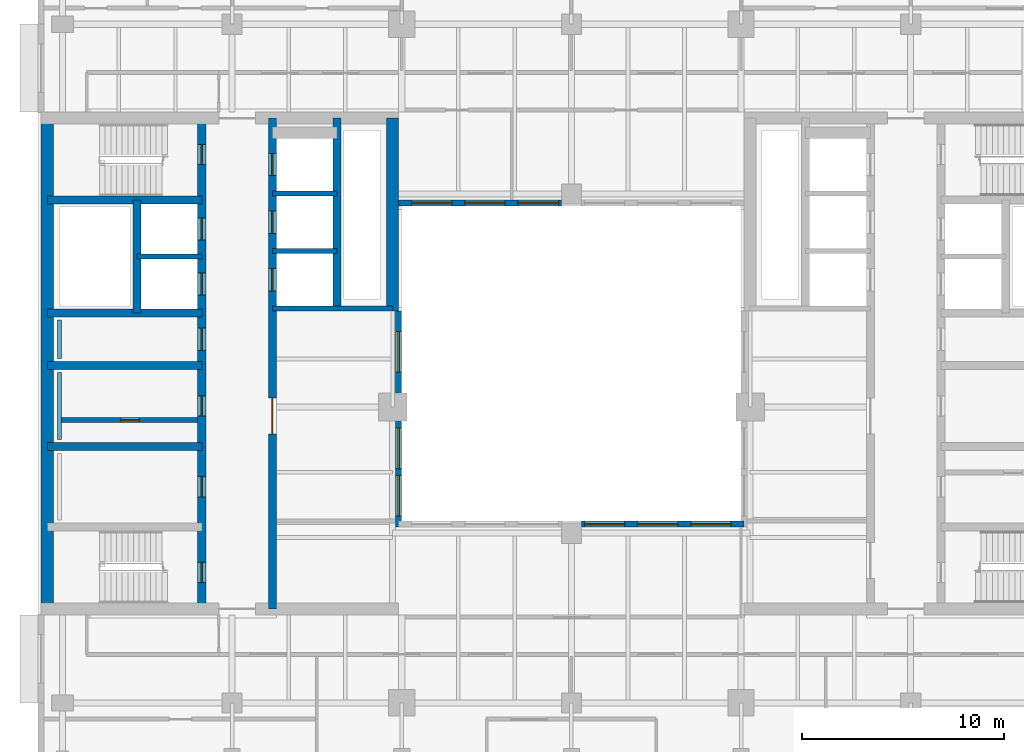
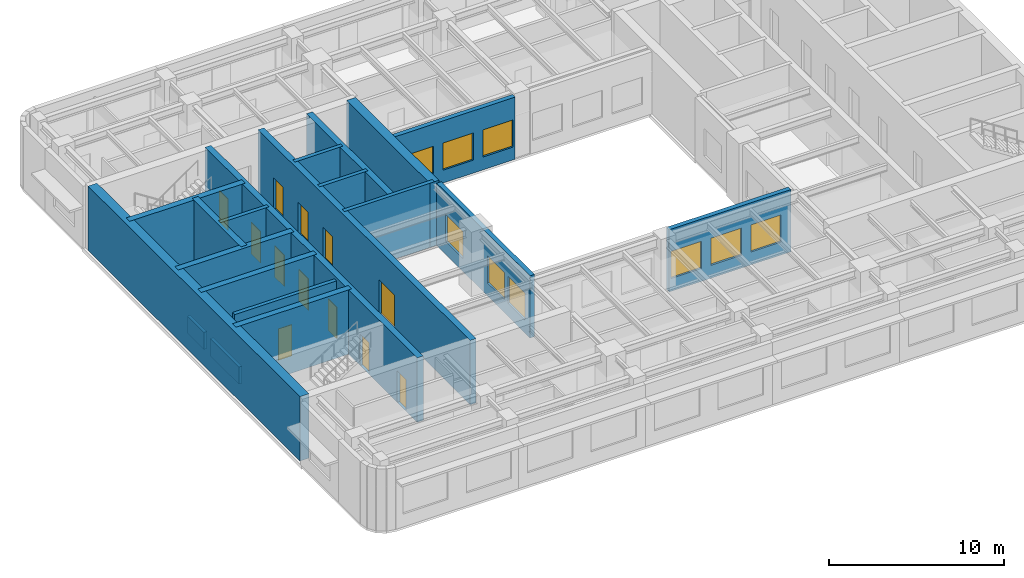
# One storey, part 4 of 11: 20 walls, 12 doors, 9 windows, 21 openings.
"""IFC4 building model written with IfcOpenShell, lengths in metres."""

from ifc_helpers import new_model, si_unit, direction, frame, frame_2d, origin, place, context, subcontext, project, spatial, rectangle, extrude, material, layer, layer_set, type_object, element, fill, save


model = new_model("IFC4")

# Units and contexts
model_context = context("Model", 3, precision=1e-05, world=origin(), true_north=direction((0.0, 1.0)))
body_context = subcontext(model_context, "Body", "Model", "MODEL_VIEW")
ifc_project = project(units=[si_unit("LENGTHUNIT", "METRE"), si_unit("AREAUNIT", "SQUARE_METRE"), si_unit("VOLUMEUNIT", "CUBIC_METRE"), si_unit("PLANEANGLEUNIT", "RADIAN"), si_unit("MASSUNIT", "GRAM", prefix="KILO")], contexts=[model_context])

# Site, building, storey
site_placement = place(None, origin())
site = spatial("IfcSite", under=ifc_project, at=site_placement, CompositionType="ELEMENT")
building_placement = place(site_placement, origin())
building = spatial("IfcBuilding", under=site, at=building_placement, Name="Claustro Exchange Tower", CompositionType="ELEMENT")
storey_placement = place(building_placement, frame((0.0, 0.0, 268.199951171875)))
storey = spatial("IfcBuildingStorey", under=building, at=storey_placement, Name="L61", CompositionType="ELEMENT", Elevation=268.199951171875)

# Wall, opening, door
ifc_material_1 = material(Name="Concrete blockwork, rendered", Category="masonry")
ifc_layer_1 = layer(ifc_material_1, 0.25)
ifc_layer_set_1 = layer_set([ifc_layer_1], Name="Concrete blockwork, rendered")
wall_type_1 = type_object("IfcWallType", Name="P4 250 blockwork wall", PredefinedType="PARTITIONING", material=ifc_layer_set_1)
wall_1_placement = place(storey_placement, frame((-0.050048828125, 22.39990234375, 0.0), z_axis=(0.0, 0.0, 1.0), x_axis=(1.0, 0.0, 0.0)))
wall_1 = element("IfcWall", 1, at=wall_1_placement, inside=storey, type_object=wall_type_1, Name="Partition P4 L61", PredefinedType="PARTITIONING", context=body_context, shape_type="SweptSolid", body=[
    extrude(rectangle(XDim=6.75, YDim=0.25, at=frame_2d((3.375, 0.0))), origin(), (0.0, 0.0, 1.0), 4.300048828125),
])
opening_1_placement = place(wall_1_placement, frame((2.949951171875, 0.0, 0.0)))
opening_1 = element("IfcOpeningElement", 2, at=opening_1_placement, cuts=wall_1, Name="Opening D5", PredefinedType="OPENING", context=body_context, shape_type="SweptSolid", body=[
    extrude(rectangle(XDim=0.89990234375, YDim=2.199951171875, at=frame_2d((0.449951171875, 1.10009765625))), frame((0.0, 0.135009765625, 0.0), z_axis=(0.0, -1.0, 0.0), x_axis=(1.0, 0.0, 0.0)), (0.0, 0.0, 1.0), 0.27001953125),
])
ifc_material_2 = material(Name="Steel door, painted", Category="steel")
door_type_1 = type_object("IfcDoorType", Name="D5 900 x 2200 store door", OperationType="SINGLE_SWING_LEFT", PredefinedType="DOOR", material=ifc_material_2)
door_1_placement = place(opening_1_placement, frame((0.89990234375, 0.0, 0.0), z_axis=(0.0, 0.0, 1.0), x_axis=(-1.0, 0.0, 0.0)))
door_1 = element("IfcDoor", 3, at=door_1_placement, inside=storey, type_object=door_type_1, Name="Store door D5 L61", OperationType="SINGLE_SWING_LEFT", OverallHeight=2.199951171875, OverallWidth=0.89990234375, PredefinedType="DOOR", context=body_context, shape_type="SweptSolid", body=[
    extrude(rectangle(XDim=0.89990234375, YDim=2.199951171875, at=frame_2d((0.449951171875, 1.10009765625))), frame((0.0, 0.02490234375, 0.0), z_axis=(0.0, -1.0, 0.0), x_axis=(1.0, 0.0, 0.0)), (0.0, 0.0, 1.0), 0.050048828125),
])
fill(opening_1, door_1)

# Wall, openings, windows
ifc_material_3 = material(Name="Concrete HA-40 (C40/50), precast, white cement, acid-etched", Category="concrete")
ifc_layer_2 = layer(ifc_material_3, 0.300048828125)
ifc_layer_set_2 = layer_set([ifc_layer_2], Name="Concrete HA-40 (C40/50), precast, white cement, acid-etched")
wall_type_2 = type_object("IfcWallType", Name="PC1 300 precast concrete pier panel", PredefinedType="SOLIDWALL", material=ifc_layer_set_2)
wall_2_placement = place(storey_placement, frame((16.64990234375, 17.10009765625, 0.0), z_axis=(0.0, 0.0, 1.0), x_axis=(0.0, 1.0, 0.0)))
wall_2 = element("IfcWall", 4, at=wall_2_placement, inside=storey, type_object=wall_type_2, Name="Precast pier panel PC1 L61", PredefinedType="SOLIDWALL", context=body_context, shape_type="SweptSolid", body=[
    extrude(rectangle(XDim=10.699951171875, YDim=0.300048828125, at=frame_2d((5.35009765625, 0.0))), origin(), (0.0, 0.0, 1.0), 4.35009765625),
])
opening_2_placement = place(wall_2_placement, frame((0.550048828125, 0.0, 0.89990234375)))
opening_2 = element("IfcOpeningElement", 5, at=opening_2_placement, cuts=wall_2, Name="Opening W4", PredefinedType="OPENING", context=body_context, shape_type="SweptSolid", body=[
    extrude(rectangle(XDim=2.0, YDim=1.89990234375, at=frame_2d((1.0, 0.949951171875))), frame((0.0, 0.159912109375, 0.0), z_axis=(0.0, -1.0, 0.0), x_axis=(1.0, 0.0, 0.0)), (0.0, 0.0, 1.0), 0.320068359375),
])
opening_3_placement = place(wall_2_placement, frame((2.89990234375, 0.0, 0.89990234375)))
opening_3 = element("IfcOpeningElement", 6, at=opening_3_placement, cuts=wall_2, Name="Opening W4", PredefinedType="OPENING", context=body_context, shape_type="SweptSolid", body=[
    extrude(rectangle(XDim=2.0, YDim=1.89990234375, at=frame_2d((1.0, 0.949951171875))), frame((0.0, 0.159912109375, 0.0), z_axis=(0.0, -1.0, 0.0), x_axis=(1.0, 0.0, 0.0)), (0.0, 0.0, 1.0), 0.320068359375),
])
opening_4_placement = place(wall_2_placement, frame((7.675048828125, 0.0, 0.89990234375)))
opening_4 = element("IfcOpeningElement", 7, at=opening_4_placement, cuts=wall_2, Name="Opening W4", PredefinedType="OPENING", context=body_context, shape_type="SweptSolid", body=[
    extrude(rectangle(XDim=2.0, YDim=1.89990234375, at=frame_2d((1.0, 0.949951171875))), frame((0.0, 0.159912109375, 0.0), z_axis=(0.0, -1.0, 0.0), x_axis=(1.0, 0.0, 0.0)), (0.0, 0.0, 1.0), 0.320068359375),
])
ifc_material_4 = material(Name="Aluminium frame, clear double glazing", Category="aluminium")
window_type = type_object("IfcWindowType", Name="W4 2000 x 1900 light well window", PartitioningType="SINGLE_PANEL", PredefinedType="WINDOW", material=ifc_material_4)
window_1_placement = place(opening_2_placement, origin())
window_1 = element("IfcWindow", 8, at=window_1_placement, inside=storey, type_object=window_type, Name="Window W4 L61", OverallHeight=1.89990234375, OverallWidth=2.0, PartitioningType="SINGLE_PANEL", PredefinedType="WINDOW", context=body_context, shape_type="SweptSolid", body=[
    extrude(rectangle(XDim=2.0, YDim=1.89990234375, at=frame_2d((1.0, 0.949951171875))), frame((0.0, 0.030029296875, 0.0), z_axis=(0.0, -1.0, 0.0), x_axis=(1.0, 0.0, 0.0)), (0.0, 0.0, 1.0), 0.06005859375),
])
fill(opening_2, window_1)
window_2_placement = place(opening_3_placement, origin())
window_2 = element("IfcWindow", 9, at=window_2_placement, inside=storey, type_object=window_type, Name="Window W4 L61", OverallHeight=1.89990234375, OverallWidth=2.0, PartitioningType="SINGLE_PANEL", PredefinedType="WINDOW", context=body_context, shape_type="SweptSolid", body=[
    extrude(rectangle(XDim=2.0, YDim=1.89990234375, at=frame_2d((1.0, 0.949951171875))), frame((0.0, 0.030029296875, 0.0), z_axis=(0.0, -1.0, 0.0), x_axis=(1.0, 0.0, 0.0)), (0.0, 0.0, 1.0), 0.06005859375),
])
fill(opening_3, window_2)
window_3_placement = place(opening_4_placement, origin())
window_3 = element("IfcWindow", 10, at=window_3_placement, inside=storey, type_object=window_type, Name="Window W4 L61", OverallHeight=1.89990234375, OverallWidth=2.0, PartitioningType="SINGLE_PANEL", PredefinedType="WINDOW", context=body_context, shape_type="SweptSolid", body=[
    extrude(rectangle(XDim=2.0, YDim=1.89990234375, at=frame_2d((1.0, 0.949951171875))), frame((0.0, 0.030029296875, 0.0), z_axis=(0.0, -1.0, 0.0), x_axis=(1.0, 0.0, 0.0)), (0.0, 0.0, 1.0), 0.06005859375),
])
fill(opening_4, window_3)

wall_3_placement = place(storey_placement, frame((25.699951171875, 17.25, 0.0), z_axis=(0.0, 0.0, 1.0), x_axis=(1.0, 0.0, 0.0)))
wall_3 = element("IfcWall", 11, at=wall_3_placement, inside=storey, type_object=wall_type_2, Name="Precast pier panel PC1 L61", PredefinedType="SOLIDWALL", context=body_context, shape_type="SweptSolid", body=[
    extrude(rectangle(XDim=8.050048828125, YDim=0.300048828125, at=frame_2d((4.02490234375, 0.0))), origin(), (0.0, 0.0, 1.0), 4.35009765625),
])
opening_5_placement = place(wall_3_placement, frame((0.137451171875, 0.0, 0.89990234375)))
opening_5 = element("IfcOpeningElement", 12, at=opening_5_placement, cuts=wall_3, Name="Opening W4", PredefinedType="OPENING", context=body_context, shape_type="SweptSolid", body=[
    extrude(rectangle(XDim=2.0, YDim=1.89990234375, at=frame_2d((1.0, 0.949951171875))), frame((0.0, 0.159912109375, 0.0), z_axis=(0.0, -1.0, 0.0), x_axis=(1.0, 0.0, 0.0)), (0.0, 0.0, 1.0), 0.320068359375),
])
opening_6_placement = place(wall_3_placement, frame((2.77490234375, 0.0, 0.89990234375)))
opening_6 = element("IfcOpeningElement", 13, at=opening_6_placement, cuts=wall_3, Name="Opening W4", PredefinedType="OPENING", context=body_context, shape_type="SweptSolid", body=[
    extrude(rectangle(XDim=2.0, YDim=1.89990234375, at=frame_2d((1.0, 0.949951171875))), frame((0.0, 0.159912109375, 0.0), z_axis=(0.0, -1.0, 0.0), x_axis=(1.0, 0.0, 0.0)), (0.0, 0.0, 1.0), 0.320068359375),
])
opening_7_placement = place(wall_3_placement, frame((5.41259765625, 0.0, 0.89990234375)))
opening_7 = element("IfcOpeningElement", 14, at=opening_7_placement, cuts=wall_3, Name="Opening W4", PredefinedType="OPENING", context=body_context, shape_type="SweptSolid", body=[
    extrude(rectangle(XDim=2.0, YDim=1.89990234375, at=frame_2d((1.0, 0.949951171875))), frame((0.0, 0.159912109375, 0.0), z_axis=(0.0, -1.0, 0.0), x_axis=(1.0, 0.0, 0.0)), (0.0, 0.0, 1.0), 0.320068359375),
])
window_4_placement = place(opening_5_placement, origin())
window_4 = element("IfcWindow", 15, at=window_4_placement, inside=storey, type_object=window_type, Name="Window W4 L61", OverallHeight=1.89990234375, OverallWidth=2.0, PartitioningType="SINGLE_PANEL", PredefinedType="WINDOW", context=body_context, shape_type="SweptSolid", body=[
    extrude(rectangle(XDim=2.0, YDim=1.89990234375, at=frame_2d((1.0, 0.949951171875))), frame((0.0, 0.030029296875, 0.0), z_axis=(0.0, -1.0, 0.0), x_axis=(1.0, 0.0, 0.0)), (0.0, 0.0, 1.0), 0.06005859375),
])
fill(opening_5, window_4)
window_5_placement = place(opening_6_placement, origin())
window_5 = element("IfcWindow", 16, at=window_5_placement, inside=storey, type_object=window_type, Name="Window W4 L61", OverallHeight=1.89990234375, OverallWidth=2.0, PartitioningType="SINGLE_PANEL", PredefinedType="WINDOW", context=body_context, shape_type="SweptSolid", body=[
    extrude(rectangle(XDim=2.0, YDim=1.89990234375, at=frame_2d((1.0, 0.949951171875))), frame((0.0, 0.030029296875, 0.0), z_axis=(0.0, -1.0, 0.0), x_axis=(1.0, 0.0, 0.0)), (0.0, 0.0, 1.0), 0.06005859375),
])
fill(opening_6, window_5)
window_6_placement = place(opening_7_placement, origin())
window_6 = element("IfcWindow", 17, at=window_6_placement, inside=storey, type_object=window_type, Name="Window W4 L61", OverallHeight=1.89990234375, OverallWidth=2.0, PartitioningType="SINGLE_PANEL", PredefinedType="WINDOW", context=body_context, shape_type="SweptSolid", body=[
    extrude(rectangle(XDim=2.0, YDim=1.89990234375, at=frame_2d((1.0, 0.949951171875))), frame((0.0, 0.030029296875, 0.0), z_axis=(0.0, -1.0, 0.0), x_axis=(1.0, 0.0, 0.0)), (0.0, 0.0, 1.0), 0.06005859375),
])
fill(opening_7, window_6)

wall_4_placement = place(storey_placement, frame((16.64990234375, 33.14990234375, 0.0), z_axis=(0.0, 0.0, 1.0), x_axis=(1.0, 0.0, 0.0)))
wall_4 = element("IfcWall", 18, at=wall_4_placement, inside=storey, type_object=wall_type_2, Name="Precast pier panel PC1 L61", PredefinedType="SOLIDWALL", context=body_context, shape_type="SweptSolid", body=[
    extrude(rectangle(XDim=8.050048828125, YDim=0.300048828125, at=frame_2d((4.02490234375, 0.0))), origin(), (0.0, 0.0, 1.0), 4.35009765625),
])
opening_8_placement = place(wall_4_placement, frame((0.637451171875, 0.0, 0.89990234375)))
opening_8 = element("IfcOpeningElement", 19, at=opening_8_placement, cuts=wall_4, Name="Opening W4", PredefinedType="OPENING", context=body_context, shape_type="SweptSolid", body=[
    extrude(rectangle(XDim=2.0, YDim=1.89990234375, at=frame_2d((1.0, 0.949951171875))), frame((0.0, 0.159912109375, 0.0), z_axis=(0.0, -1.0, 0.0), x_axis=(1.0, 0.0, 0.0)), (0.0, 0.0, 1.0), 0.320068359375),
])
opening_9_placement = place(wall_4_placement, frame((3.27490234375, 0.0, 0.89990234375)))
opening_9 = element("IfcOpeningElement", 20, at=opening_9_placement, cuts=wall_4, Name="Opening W4", PredefinedType="OPENING", context=body_context, shape_type="SweptSolid", body=[
    extrude(rectangle(XDim=2.0, YDim=1.89990234375, at=frame_2d((1.0, 0.949951171875))), frame((0.0, 0.159912109375, 0.0), z_axis=(0.0, -1.0, 0.0), x_axis=(1.0, 0.0, 0.0)), (0.0, 0.0, 1.0), 0.320068359375),
])
opening_10_placement = place(wall_4_placement, frame((5.91259765625, 0.0, 0.89990234375)))
opening_10 = element("IfcOpeningElement", 21, at=opening_10_placement, cuts=wall_4, Name="Opening W4", PredefinedType="OPENING", context=body_context, shape_type="SweptSolid", body=[
    extrude(rectangle(XDim=2.0, YDim=1.89990234375, at=frame_2d((1.0, 0.949951171875))), frame((0.0, 0.159912109375, 0.0), z_axis=(0.0, -1.0, 0.0), x_axis=(1.0, 0.0, 0.0)), (0.0, 0.0, 1.0), 0.320068359375),
])
window_7_placement = place(opening_8_placement, origin())
window_7 = element("IfcWindow", 22, at=window_7_placement, inside=storey, type_object=window_type, Name="Window W4 L61", OverallHeight=1.89990234375, OverallWidth=2.0, PartitioningType="SINGLE_PANEL", PredefinedType="WINDOW", context=body_context, shape_type="SweptSolid", body=[
    extrude(rectangle(XDim=2.0, YDim=1.89990234375, at=frame_2d((1.0, 0.949951171875))), frame((0.0, 0.030029296875, 0.0), z_axis=(0.0, -1.0, 0.0), x_axis=(1.0, 0.0, 0.0)), (0.0, 0.0, 1.0), 0.06005859375),
])
fill(opening_8, window_7)
window_8_placement = place(opening_9_placement, origin())
window_8 = element("IfcWindow", 23, at=window_8_placement, inside=storey, type_object=window_type, Name="Window W4 L61", OverallHeight=1.89990234375, OverallWidth=2.0, PartitioningType="SINGLE_PANEL", PredefinedType="WINDOW", context=body_context, shape_type="SweptSolid", body=[
    extrude(rectangle(XDim=2.0, YDim=1.89990234375, at=frame_2d((1.0, 0.949951171875))), frame((0.0, 0.030029296875, 0.0), z_axis=(0.0, -1.0, 0.0), x_axis=(1.0, 0.0, 0.0)), (0.0, 0.0, 1.0), 0.06005859375),
])
fill(opening_9, window_8)
window_9_placement = place(opening_10_placement, origin())
window_9 = element("IfcWindow", 24, at=window_9_placement, inside=storey, type_object=window_type, Name="Window W4 L61", OverallHeight=1.89990234375, OverallWidth=2.0, PartitioningType="SINGLE_PANEL", PredefinedType="WINDOW", context=body_context, shape_type="SweptSolid", body=[
    extrude(rectangle(XDim=2.0, YDim=1.89990234375, at=frame_2d((1.0, 0.949951171875))), frame((0.0, 0.030029296875, 0.0), z_axis=(0.0, -1.0, 0.0), x_axis=(1.0, 0.0, 0.0)), (0.0, 0.0, 1.0), 0.06005859375),
])
fill(opening_10, window_9)

# Walls
ifc_material_5 = material(Name="Gypsum board on steel studs, tiled", Category="steel")
ifc_layer_3 = layer(ifc_material_5, 0.199951171875)
ifc_layer_set_3 = layer_set([ifc_layer_3], Name="Gypsum board on steel studs, tiled")
wall_type_3 = type_object("IfcWallType", Name="PW1 200 WC duct wall", PredefinedType="PLUMBINGWALL", material=ifc_layer_set_3)
wall_5_placement = place(storey_placement, frame((-0.14990234375, 21.449951171875, 0.0), z_axis=(0.0, 0.0, 1.0), x_axis=(0.0, 1.0, 0.0)))
element("IfcWall", 25, at=wall_5_placement, inside=storey, type_object=wall_type_3, Name="WC duct wall PW1 L61", PredefinedType="PLUMBINGWALL", context=body_context, shape_type="SweptSolid", body=[
    extrude(rectangle(XDim=3.300048828125, YDim=0.199951171875, at=frame_2d((1.64990234375, 0.0))), origin(), (0.0, 0.0, 1.0), 1.199951171875),
])
wall_6_placement = place(storey_placement, frame((-0.14990234375, 25.449951171875, 0.0), z_axis=(0.0, 0.0, 1.0), x_axis=(0.0, 1.0, 0.0)))
element("IfcWall", 26, at=wall_6_placement, inside=storey, type_object=wall_type_3, Name="WC duct wall PW1 L61", PredefinedType="PLUMBINGWALL", context=body_context, shape_type="SweptSolid", body=[
    extrude(rectangle(XDim=1.900146484375, YDim=0.199951171875, at=frame_2d((0.9501953125, 0.0))), origin(), (0.0, 0.0, 1.0), 1.199951171875),
])
ifc_material_6 = material(Name="Concrete HA-50 (C50/60)", Category="concrete")
ifc_layer_4 = layer(ifc_material_6, 0.60009765625)
ifc_layer_set_4 = layer_set([ifc_layer_4], Name="Concrete HA-50 (C50/60)")
wall_type_4 = type_object("IfcWallType", Name="SW3X 600 exposed core shear wall, board-marked face", PredefinedType="SHEAR", material=ifc_layer_set_4)
wall_7_placement = place(storey_placement, frame((-0.75, 13.050048828125, 0.0), z_axis=(0.0, 0.0, 1.0), x_axis=(0.0, 1.0, 0.0)))
element("IfcWall", 27, at=wall_7_placement, inside=storey, type_object=wall_type_4, Name="Core wall SW3X W core W face L61", PredefinedType="SHEAR", context=body_context, shape_type="SweptSolid", body=[
    extrude(rectangle(XDim=24.300048828125, YDim=0.60009765625, at=frame_2d((12.14990234375, 0.0))), origin(), (0.0, 0.0, 1.0), 4.5),
])
wall_8_placement = place(storey_placement, frame((16.35009765625, 27.800048828125, 0.0), z_axis=(0.0, 0.0, 1.0), x_axis=(0.0, 1.0, 0.0)))
element("IfcWall", 28, at=wall_8_placement, inside=storey, type_object=wall_type_4, Name="Core wall SW3X W core E face L61", PredefinedType="SHEAR", context=body_context, shape_type="SweptSolid", body=[
    extrude(rectangle(XDim=9.550048828125, YDim=0.60009765625, at=frame_2d((4.77490234375, 0.0))), origin(), (0.0, 0.0, 1.0), 4.5),
])

# Wall, openings, doors
ifc_material_7 = material(Name="Concrete HA-50 (C50/60)", Category="concrete")
ifc_layer_5 = layer(ifc_material_7, 0.39990234375)
ifc_layer_set_5 = layer_set([ifc_layer_5], Name="Concrete HA-50 (C50/60)")
wall_type_5 = type_object("IfcWallType", Name="SW4 400 internal core wall", PredefinedType="SHEAR", material=ifc_layer_set_5)
wall_9_placement = place(storey_placement, frame((6.89990234375, 13.050048828125, 0.0), z_axis=(0.0, 0.0, 1.0), x_axis=(0.0, 1.0, 0.0)))
wall_9 = element("IfcWall", 29, at=wall_9_placement, inside=storey, type_object=wall_type_5, Name="Internal core wall SW4 W core L61", PredefinedType="SHEAR", context=body_context, shape_type="SweptSolid", body=[
    extrude(rectangle(XDim=24.300048828125, YDim=0.39990234375, at=frame_2d((12.14990234375, 0.0))), origin(), (0.0, 0.0, 1.0), 4.5),
])
opening_11_placement = place(wall_9_placement, frame((1.300048828125, 0.0, 0.0)))
opening_11 = element("IfcOpeningElement", 30, at=opening_11_placement, cuts=wall_9, Name="Opening D4", PredefinedType="OPENING", context=body_context, shape_type="SweptSolid", body=[
    extrude(rectangle(XDim=1.0, YDim=2.199951171875, at=frame_2d((0.5, 1.10009765625))), frame((0.0, 0.2099609375, 0.0), z_axis=(0.0, -1.0, 0.0), x_axis=(1.0, 0.0, 0.0)), (0.0, 0.0, 1.0), 0.419921875),
])
opening_12_placement = place(wall_9_placement, frame((22.0, 0.0, 0.0)))
opening_12 = element("IfcOpeningElement", 31, at=opening_12_placement, cuts=wall_9, Name="Opening D4", PredefinedType="OPENING", context=body_context, shape_type="SweptSolid", body=[
    extrude(rectangle(XDim=1.0, YDim=2.199951171875, at=frame_2d((0.5, 1.10009765625))), frame((0.0, 0.2099609375, 0.0), z_axis=(0.0, -1.0, 0.0), x_axis=(1.0, 0.0, 0.0)), (0.0, 0.0, 1.0), 0.419921875),
])
opening_13_placement = place(wall_9_placement, frame((5.550048828125, 0.0, 0.0)))
opening_13 = element("IfcOpeningElement", 32, at=opening_13_placement, cuts=wall_9, Name="Opening D1", PredefinedType="OPENING", context=body_context, shape_type="SweptSolid", body=[
    extrude(rectangle(XDim=1.0, YDim=2.199951171875, at=frame_2d((0.5, 1.10009765625))), frame((0.0, 0.2099609375, 0.0), z_axis=(0.0, -1.0, 0.0), x_axis=(1.0, 0.0, 0.0)), (0.0, 0.0, 1.0), 0.419921875),
])
opening_14_placement = place(wall_9_placement, frame((9.550048828125, 0.0, 0.0)))
opening_14 = element("IfcOpeningElement", 33, at=opening_14_placement, cuts=wall_9, Name="Opening D1", PredefinedType="OPENING", context=body_context, shape_type="SweptSolid", body=[
    extrude(rectangle(XDim=1.0, YDim=2.199951171875, at=frame_2d((0.5, 1.10009765625))), frame((0.0, 0.2099609375, 0.0), z_axis=(0.0, -1.0, 0.0), x_axis=(1.0, 0.0, 0.0)), (0.0, 0.0, 1.0), 0.419921875),
])
opening_15_placement = place(wall_9_placement, frame((12.800048828125, 0.0, 0.0)))
opening_15 = element("IfcOpeningElement", 34, at=opening_15_placement, cuts=wall_9, Name="Opening D10", PredefinedType="OPENING", context=body_context, shape_type="SweptSolid", body=[
    extrude(rectangle(XDim=1.10009765625, YDim=2.199951171875, at=frame_2d((0.550048828125, 1.10009765625))), frame((0.0, 0.2099609375, 0.0), z_axis=(0.0, -1.0, 0.0), x_axis=(1.0, 0.0, 0.0)), (0.0, 0.0, 1.0), 0.419921875),
])
opening_16_placement = place(wall_9_placement, frame((15.53759765625, 0.0, 0.0)))
opening_16 = element("IfcOpeningElement", 35, at=opening_16_placement, cuts=wall_9, Name="Opening LD", PredefinedType="OPENING", context=body_context, shape_type="SweptSolid", body=[
    extrude(rectangle(XDim=1.10009765625, YDim=2.199951171875, at=frame_2d((0.550048828125, 1.10009765625))), frame((0.0, 0.2099609375, 0.0), z_axis=(0.0, -1.0, 0.0), x_axis=(1.0, 0.0, 0.0)), (0.0, 0.0, 1.0), 0.419921875),
])
opening_17_placement = place(wall_9_placement, frame((18.262451171875, 0.0, 0.0)))
opening_17 = element("IfcOpeningElement", 36, at=opening_17_placement, cuts=wall_9, Name="Opening LD", PredefinedType="OPENING", context=body_context, shape_type="SweptSolid", body=[
    extrude(rectangle(XDim=1.10009765625, YDim=2.199951171875, at=frame_2d((0.550048828125, 1.10009765625))), frame((0.0, 0.2099609375, 0.0), z_axis=(0.0, -1.0, 0.0), x_axis=(1.0, 0.0, 0.0)), (0.0, 0.0, 1.0), 0.419921875),
])
ifc_material_8 = material(Name="Timber door, oak veneer", Category="wood")
door_type_2 = type_object("IfcDoorType", Name="D1 1000 x 2200 single door", OperationType="SINGLE_SWING_LEFT", PredefinedType="DOOR", material=ifc_material_8)
door_2_placement = place(opening_13_placement, origin())
door_2 = element("IfcDoor", 37, at=door_2_placement, inside=storey, type_object=door_type_2, Name="Door D1 L61", OperationType="SINGLE_SWING_RIGHT", OverallHeight=2.199951171875, OverallWidth=1.0, PredefinedType="DOOR", context=body_context, shape_type="SweptSolid", body=[
    extrude(rectangle(XDim=1.0, YDim=2.199951171875, at=frame_2d((0.5, 1.10009765625))), frame((0.0, 0.02490234375, 0.0), z_axis=(0.0, -1.0, 0.0), x_axis=(1.0, 0.0, 0.0)), (0.0, 0.0, 1.0), 0.050048828125),
])
fill(opening_13, door_2)
door_3_placement = place(opening_14_placement, origin())
door_3 = element("IfcDoor", 38, at=door_3_placement, inside=storey, type_object=door_type_2, Name="Door D1 L61", OperationType="SINGLE_SWING_LEFT", OverallHeight=2.199951171875, OverallWidth=1.0, PredefinedType="DOOR", context=body_context, shape_type="SweptSolid", body=[
    extrude(rectangle(XDim=1.0, YDim=2.199951171875, at=frame_2d((0.5, 1.10009765625))), frame((0.0, 0.02490234375, 0.0), z_axis=(0.0, -1.0, 0.0), x_axis=(1.0, 0.0, 0.0)), (0.0, 0.0, 1.0), 0.050048828125),
])
fill(opening_14, door_3)
ifc_material_9 = material(Name="Timber door, oak veneer", Category="wood")
door_type_3 = type_object("IfcDoorType", Name="D10 1100 x 2200 accessible WC door", OperationType="SINGLE_SWING_LEFT", PredefinedType="DOOR", material=ifc_material_9)
door_4_placement = place(opening_15_placement, frame((1.10009765625, 0.0, 0.0), z_axis=(0.0, 0.0, 1.0), x_axis=(-1.0, 0.0, 0.0)))
door_4 = element("IfcDoor", 39, at=door_4_placement, inside=storey, type_object=door_type_3, Name="Accessible WC door D10 L61", OperationType="SINGLE_SWING_LEFT", OverallHeight=2.199951171875, OverallWidth=1.10009765625, PredefinedType="DOOR", context=body_context, shape_type="SweptSolid", body=[
    extrude(rectangle(XDim=1.10009765625, YDim=2.199951171875, at=frame_2d((0.550048828125, 1.10009765625))), frame((0.0, 0.02490234375, 0.0), z_axis=(0.0, -1.0, 0.0), x_axis=(1.0, 0.0, 0.0)), (0.0, 0.0, 1.0), 0.050048828125),
])
fill(opening_15, door_4)
ifc_material_10 = material(Name="Steel fire door, painted", Category="steel")
door_type_4 = type_object("IfcDoorType", Name="D4 1000 x 2200 fire-rated stair door", OperationType="SINGLE_SWING_LEFT", PredefinedType="DOOR", material=ifc_material_10)
door_5_placement = place(opening_11_placement, origin())
door_5 = element("IfcDoor", 40, at=door_5_placement, inside=storey, type_object=door_type_4, Name="Stair door D4 L61", OperationType="SINGLE_SWING_LEFT", OverallHeight=2.199951171875, OverallWidth=1.0, PredefinedType="DOOR", context=body_context, shape_type="SweptSolid", body=[
    extrude(rectangle(XDim=1.0, YDim=2.199951171875, at=frame_2d((0.5, 1.10009765625))), frame((0.0, 0.02490234375, 0.0), z_axis=(0.0, -1.0, 0.0), x_axis=(1.0, 0.0, 0.0)), (0.0, 0.0, 1.0), 0.050048828125),
])
fill(opening_11, door_5)
door_6_placement = place(opening_12_placement, origin())
door_6 = element("IfcDoor", 41, at=door_6_placement, inside=storey, type_object=door_type_4, Name="Stair door D4 L61", OperationType="SINGLE_SWING_RIGHT", OverallHeight=2.199951171875, OverallWidth=1.0, PredefinedType="DOOR", context=body_context, shape_type="SweptSolid", body=[
    extrude(rectangle(XDim=1.0, YDim=2.199951171875, at=frame_2d((0.5, 1.10009765625))), frame((0.0, 0.02490234375, 0.0), z_axis=(0.0, -1.0, 0.0), x_axis=(1.0, 0.0, 0.0)), (0.0, 0.0, 1.0), 0.050048828125),
])
fill(opening_12, door_6)
ifc_material_11 = material(Name="Stainless steel sliding door", Category="steel")
door_type_5 = type_object("IfcDoorType", Name="LD 1100 x 2200 lift landing door", OperationType="DOUBLE_DOOR_SLIDING", PredefinedType="DOOR", material=ifc_material_11)
door_7_placement = place(opening_16_placement, origin())
door_7 = element("IfcDoor", 42, at=door_7_placement, inside=storey, type_object=door_type_5, Name="Lift landing door LEW1 LD L61", OperationType="DOUBLE_DOOR_SLIDING", OverallHeight=2.199951171875, OverallWidth=1.10009765625, PredefinedType="DOOR", context=body_context, shape_type="SweptSolid", body=[
    extrude(rectangle(XDim=1.10009765625, YDim=2.199951171875, at=frame_2d((0.550048828125, 1.10009765625))), frame((0.0, 0.02490234375, 0.0), z_axis=(0.0, -1.0, 0.0), x_axis=(1.0, 0.0, 0.0)), (0.0, 0.0, 1.0), 0.050048828125),
])
fill(opening_16, door_7)
door_8_placement = place(opening_17_placement, origin())
door_8 = element("IfcDoor", 43, at=door_8_placement, inside=storey, type_object=door_type_5, Name="Lift landing door LEW2 LD L61", OperationType="DOUBLE_DOOR_SLIDING", OverallHeight=2.199951171875, OverallWidth=1.10009765625, PredefinedType="DOOR", context=body_context, shape_type="SweptSolid", body=[
    extrude(rectangle(XDim=1.10009765625, YDim=2.199951171875, at=frame_2d((0.550048828125, 1.10009765625))), frame((0.0, 0.02490234375, 0.0), z_axis=(0.0, -1.0, 0.0), x_axis=(1.0, 0.0, 0.0)), (0.0, 0.0, 1.0), 0.050048828125),
])
fill(opening_17, door_8)

wall_10_placement = place(storey_placement, frame((10.39990234375, 13.050048828125, 0.0), z_axis=(0.0, 0.0, 1.0), x_axis=(0.0, 1.0, 0.0)))
wall_10 = element("IfcWall", 44, at=wall_10_placement, inside=storey, type_object=wall_type_5, Name="Internal core wall SW4 W core L61", PredefinedType="SHEAR", context=body_context, shape_type="SweptSolid", body=[
    extrude(rectangle(XDim=24.300048828125, YDim=0.39990234375, at=frame_2d((12.14990234375, 0.0))), origin(), (0.0, 0.0, 1.0), 4.5),
])
opening_18_placement = place(wall_10_placement, frame((15.75, 0.0, 0.0)))
opening_18 = element("IfcOpeningElement", 45, at=opening_18_placement, cuts=wall_10, Name="Opening LD", PredefinedType="OPENING", context=body_context, shape_type="SweptSolid", body=[
    extrude(rectangle(XDim=1.10009765625, YDim=2.199951171875, at=frame_2d((0.550048828125, 1.10009765625))), frame((0.0, 0.2099609375, 0.0), z_axis=(0.0, -1.0, 0.0), x_axis=(1.0, 0.0, 0.0)), (0.0, 0.0, 1.0), 0.419921875),
])
opening_19_placement = place(wall_10_placement, frame((18.60009765625, 0.0, 0.0)))
opening_19 = element("IfcOpeningElement", 46, at=opening_19_placement, cuts=wall_10, Name="Opening LD", PredefinedType="OPENING", context=body_context, shape_type="SweptSolid", body=[
    extrude(rectangle(XDim=1.10009765625, YDim=2.199951171875, at=frame_2d((0.550048828125, 1.10009765625))), frame((0.0, 0.2099609375, 0.0), z_axis=(0.0, -1.0, 0.0), x_axis=(1.0, 0.0, 0.0)), (0.0, 0.0, 1.0), 0.419921875),
])
opening_20_placement = place(wall_10_placement, frame((21.449951171875, 0.0, 0.0)))
opening_20 = element("IfcOpeningElement", 47, at=opening_20_placement, cuts=wall_10, Name="Opening LD", PredefinedType="OPENING", context=body_context, shape_type="SweptSolid", body=[
    extrude(rectangle(XDim=1.10009765625, YDim=2.199951171875, at=frame_2d((0.550048828125, 1.10009765625))), frame((0.0, 0.2099609375, 0.0), z_axis=(0.0, -1.0, 0.0), x_axis=(1.0, 0.0, 0.0)), (0.0, 0.0, 1.0), 0.419921875),
])
opening_21_placement = place(wall_10_placement, frame((8.64990234375, 0.0, 0.0)))
opening_21 = element("IfcOpeningElement", 48, at=opening_21_placement, cuts=wall_10, Name="Opening D3", PredefinedType="OPENING", context=body_context, shape_type="SweptSolid", body=[
    extrude(rectangle(XDim=1.800048828125, YDim=2.39990234375, at=frame_2d((0.89990234375, 1.199951171875))), frame((0.0, 0.2099609375, 0.0), z_axis=(0.0, -1.0, 0.0), x_axis=(1.0, 0.0, 0.0)), (0.0, 0.0, 1.0), 0.419921875),
])
ifc_material_12 = material(Name="Steel fire door, painted", Category="steel")
door_type_6 = type_object("IfcDoorType", Name="D3 1800 x 2400 fire-rated lobby double door", OperationType="DOUBLE_DOOR_SINGLE_SWING", PredefinedType="DOOR", material=ifc_material_12)
door_9_placement = place(opening_21_placement, frame((1.800048828125, 0.0, 0.0), z_axis=(0.0, 0.0, 1.0), x_axis=(-1.0, 0.0, 0.0)))
door_9 = element("IfcDoor", 49, at=door_9_placement, inside=storey, type_object=door_type_6, Name="Core zone door D3 L61", OperationType="DOUBLE_DOOR_SINGLE_SWING", OverallHeight=2.39990234375, OverallWidth=1.800048828125, PredefinedType="DOOR", context=body_context, shape_type="SweptSolid", body=[
    extrude(rectangle(XDim=1.800048828125, YDim=2.39990234375, at=frame_2d((0.89990234375, 1.199951171875))), frame((0.0, 0.02490234375, 0.0), z_axis=(0.0, -1.0, 0.0), x_axis=(1.0, 0.0, 0.0)), (0.0, 0.0, 1.0), 0.050048828125),
])
fill(opening_21, door_9)
door_10_placement = place(opening_18_placement, origin())
door_10 = element("IfcDoor", 50, at=door_10_placement, inside=storey, type_object=door_type_5, Name="Lift landing door LHW1 LD L61", OperationType="DOUBLE_DOOR_SLIDING", OverallHeight=2.199951171875, OverallWidth=1.10009765625, PredefinedType="DOOR", context=body_context, shape_type="SweptSolid", body=[
    extrude(rectangle(XDim=1.10009765625, YDim=2.199951171875, at=frame_2d((0.550048828125, 1.10009765625))), frame((0.0, 0.02490234375, 0.0), z_axis=(0.0, -1.0, 0.0), x_axis=(1.0, 0.0, 0.0)), (0.0, 0.0, 1.0), 0.050048828125),
])
fill(opening_18, door_10)
door_11_placement = place(opening_19_placement, origin())
door_11 = element("IfcDoor", 51, at=door_11_placement, inside=storey, type_object=door_type_5, Name="Lift landing door LHW2 LD L61", OperationType="DOUBLE_DOOR_SLIDING", OverallHeight=2.199951171875, OverallWidth=1.10009765625, PredefinedType="DOOR", context=body_context, shape_type="SweptSolid", body=[
    extrude(rectangle(XDim=1.10009765625, YDim=2.199951171875, at=frame_2d((0.550048828125, 1.10009765625))), frame((0.0, 0.02490234375, 0.0), z_axis=(0.0, -1.0, 0.0), x_axis=(1.0, 0.0, 0.0)), (0.0, 0.0, 1.0), 0.050048828125),
])
fill(opening_19, door_11)
door_12_placement = place(opening_20_placement, origin())
door_12 = element("IfcDoor", 52, at=door_12_placement, inside=storey, type_object=door_type_5, Name="Lift landing door LSW1 LD L61", OperationType="DOUBLE_DOOR_SLIDING", OverallHeight=2.199951171875, OverallWidth=1.10009765625, PredefinedType="DOOR", context=body_context, shape_type="SweptSolid", body=[
    extrude(rectangle(XDim=1.10009765625, YDim=2.199951171875, at=frame_2d((0.550048828125, 1.10009765625))), frame((0.0, 0.02490234375, 0.0), z_axis=(0.0, -1.0, 0.0), x_axis=(1.0, 0.0, 0.0)), (0.0, 0.0, 1.0), 0.050048828125),
])
fill(opening_20, door_12)

# Walls
wall_11_placement = place(storey_placement, frame((13.60009765625, 27.925048828125, 0.0), z_axis=(0.0, 0.0, 1.0), x_axis=(0.0, 1.0, 0.0)))
element("IfcWall", 53, at=wall_11_placement, inside=storey, type_object=wall_type_5, Name="Internal core wall SW4 W core L61", PredefinedType="SHEAR", context=body_context, shape_type="SweptSolid", body=[
    extrude(rectangle(XDim=9.425048828125, YDim=0.39990234375, at=frame_2d((4.71240234375, 0.0))), origin(), (0.0, 0.0, 1.0), 4.5),
])
for number, where, z_axis, x_axis, name in (
    (54, (-0.75, 21.10009765625, 0.0), (0.0, 0.0, 1.0), (1.0, 0.0, 0.0), "Internal core wall SW4 W core L61"),
    (55, (-0.75, 25.10009765625, 0.0), (0.0, 0.0, 1.0), (1.0, 0.0, 0.0), "Internal core wall SW4 W core L61"),
    (56, (-0.75, 27.699951171875, 0.0), (0.0, 0.0, 1.0), (1.0, 0.0, 0.0), "Internal core wall SW4 W core L61"),
    (57, (-0.75, 33.300048828125, 0.0), (0.0, 0.0, 1.0), (1.0, 0.0, 0.0), "Internal core wall SW4 W core L61"),
):
    element("IfcWall", number, at=place(storey_placement, frame(where, z_axis=z_axis, x_axis=x_axis)), inside=storey, type_object=wall_type_5, Name=name, PredefinedType="SHEAR", context=body_context, shape_type="SweptSolid", body=[
        extrude(rectangle(XDim=7.64990234375, YDim=0.39990234375, at=frame_2d((3.824951171875, 0.0))), origin(), (0.0, 0.0, 1.0), 4.5),
    ])
wall_12_placement = place(storey_placement, frame((3.699951171875, 27.699951171875, 0.0), z_axis=(0.0, 0.0, 1.0), x_axis=(0.0, 1.0, 0.0)))
element("IfcWall", 58, at=wall_12_placement, inside=storey, type_object=wall_type_5, Name="Internal core wall SW4 W core L61", PredefinedType="SHEAR", context=body_context, shape_type="SweptSolid", body=[
    extrude(rectangle(XDim=5.60009765625, YDim=0.39990234375, at=frame_2d((2.800048828125, 0.0))), origin(), (0.0, 0.0, 1.0), 4.5),
])
ifc_material_13 = material(Name="Concrete HA-50 (C50/60)", Category="concrete")
ifc_layer_6 = layer(ifc_material_13, 0.25)
ifc_layer_set_6 = layer_set([ifc_layer_6], Name="Concrete HA-50 (C50/60)")
wall_type_6 = type_object("IfcWallType", Name="SW5 250 lift shaft divider wall", PredefinedType="SHEAR", material=ifc_layer_set_6)
wall_13_placement = place(storey_placement, frame((3.699951171875, 30.5, 0.0), z_axis=(0.0, 0.0, 1.0), x_axis=(1.0, 0.0, 0.0)))
element("IfcWall", 59, at=wall_13_placement, inside=storey, type_object=wall_type_6, Name="Lift shaft wall W core L61", PredefinedType="SHEAR", context=body_context, shape_type="SweptSolid", body=[
    extrude(rectangle(XDim=3.199951171875, YDim=0.25, at=frame_2d((1.60009765625, 0.0))), origin(), (0.0, 0.0, 1.0), 4.5),
])
wall_14_placement = place(storey_placement, frame((10.39990234375, 27.925048828125, 0.0), z_axis=(0.0, 0.0, 1.0), x_axis=(1.0, 0.0, 0.0)))
element("IfcWall", 60, at=wall_14_placement, inside=storey, type_object=wall_type_6, Name="Core step wall W core L61", PredefinedType="SHEAR", context=body_context, shape_type="SweptSolid", body=[
    extrude(rectangle(XDim=5.9501953125, YDim=0.25, at=frame_2d((2.97509765625, 0.0))), origin(), (0.0, 0.0, 1.0), 4.5),
])
for number, where, z_axis, x_axis, name in (
    (61, (10.39990234375, 30.77490234375, 0.0), (0.0, 0.0, 1.0), (1.0, 0.0, 0.0), "Lift shaft wall W core L61"),
    (62, (10.39990234375, 33.625, 0.0), (0.0, 0.0, 1.0), (1.0, 0.0, 0.0), "Lift shaft wall W core L61"),
):
    element("IfcWall", number, at=place(storey_placement, frame(where, z_axis=z_axis, x_axis=x_axis)), inside=storey, type_object=wall_type_6, Name=name, PredefinedType="SHEAR", context=body_context, shape_type="SweptSolid", body=[
        extrude(rectangle(XDim=3.2001953125, YDim=0.25, at=frame_2d((1.60009765625, 0.0))), origin(), (0.0, 0.0, 1.0), 4.5),
    ])

save(model, "model.ifc")
